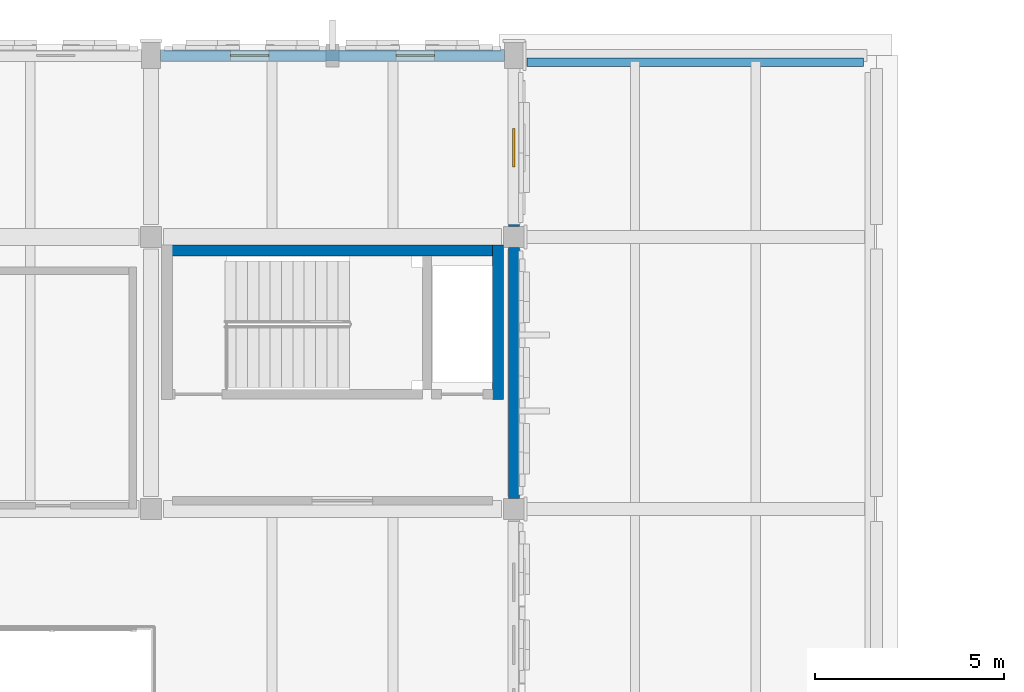
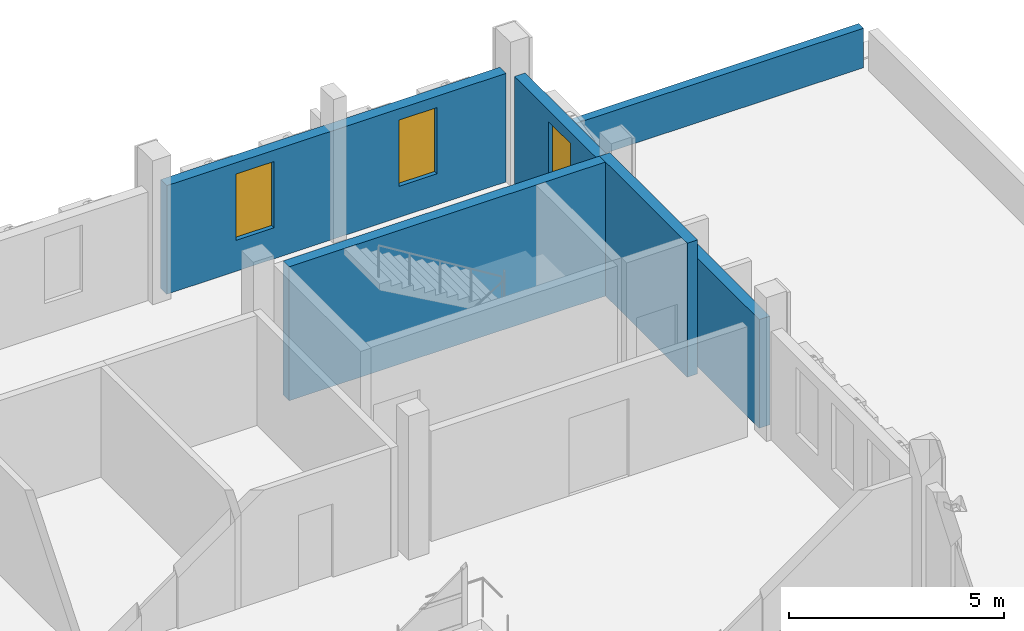
# One storey, part 39 of 50: 6 walls, 3 windows, 3 openings.
"""IFC4 building model written with IfcOpenShell, lengths in metres."""

from ifc_helpers import new_model, si_unit, direction, frame, frame_2d, origin, place, context, subcontext, project, spatial, rectangle, extrude, material, layer, layer_set, type_object, element, fill, save


model = new_model("IFC4")

# Units and contexts
model_context = context("Model", 3, precision=1e-05, world=origin(), true_north=direction((0.0, 1.0)))
body_context = subcontext(model_context, "Body", "Model", "MODEL_VIEW")
ifc_project = project(units=[si_unit("LENGTHUNIT", "METRE"), si_unit("AREAUNIT", "SQUARE_METRE"), si_unit("VOLUMEUNIT", "CUBIC_METRE"), si_unit("PLANEANGLEUNIT", "RADIAN"), si_unit("MASSUNIT", "GRAM", prefix="KILO")], contexts=[model_context])

# Site, building, storey
site_placement = place(None, origin())
site = spatial("IfcSite", under=ifc_project, at=site_placement, CompositionType="ELEMENT")
building_placement = place(site_placement, origin())
building = spatial("IfcBuilding", under=site, at=building_placement, Name="Asteropetra Specialist Clinic", CompositionType="ELEMENT")
storey_placement = place(building_placement, frame((0.0, 0.0, 16.659912109375)))
storey = spatial("IfcBuildingStorey", under=building, at=storey_placement, Name="L04", CompositionType="ELEMENT", Elevation=16.659912109375)

# Wall, openings, windows
ifc_material_1 = material(Name="Chevron ivory", Category="masonry")
ifc_layer_1 = layer(ifc_material_1, 0.2900390625)
ifc_layer_set_1 = layer_set([ifc_layer_1], Name="Chevron ivory")
wall_type_1 = type_object("IfcWallType", Name="EW-CHEV-TER-290", PredefinedType="SOLIDWALL", material=ifc_layer_set_1)
wall_1_placement = place(storey_placement, frame((38.14990234375, 110.39990234375, 0.0), z_axis=(0.0, 0.0, 1.0), x_axis=(-1.0, 0.0, 0.0)))
wall_1 = element("IfcWall", 1, at=wall_1_placement, inside=storey, type_object=wall_type_1, Name="Exterior Wall EW-0132", PredefinedType="SOLIDWALL", context=body_context, shape_type="SweptSolid", body=[
    extrude(rectangle(XDim=9.099853515625, YDim=0.2900390625, at=frame_2d((4.5498046875, 0.0))), origin(), (0.0, 0.0, 1.0), 3.080078125),
])
opening_1_placement = place(wall_1_placement, frame((1.85595703125, 0.0, 0.8798828125)))
opening_1 = element("IfcOpeningElement", 2, at=opening_1_placement, cuts=wall_1, Name="Opening W-0065", PredefinedType="OPENING", context=body_context, shape_type="SweptSolid", body=[
    extrude(rectangle(XDim=1.02001953125, YDim=1.8798828125, at=frame_2d((0.510009765625, 0.93994140625))), frame((0.0, 0.155029296875, 0.0), z_axis=(0.0, -1.0, 0.0), x_axis=(1.0, 0.0, 0.0)), (0.0, 0.0, 1.0), 0.31005859375),
])
opening_2_placement = place(wall_1_placement, frame((6.22412109375, 0.0, 0.8798828125)))
opening_2 = element("IfcOpeningElement", 3, at=opening_2_placement, cuts=wall_1, Name="Opening W-0066", PredefinedType="OPENING", context=body_context, shape_type="SweptSolid", body=[
    extrude(rectangle(XDim=1.02001953125, YDim=1.8798828125, at=frame_2d((0.510009765625, 0.93994140625))), frame((0.0, 0.155029296875, 0.0), z_axis=(0.0, -1.0, 0.0), x_axis=(1.0, 0.0, 0.0)), (0.0, 0.0, 1.0), 0.31005859375),
])
ifc_material_2 = material(Name="Thermally broken bronze aluminium and low-E glass", Category="aluminium")
window_type = type_object("IfcWindowType", Name="WIN-T31", PartitioningType="SINGLE_PANEL", PredefinedType="WINDOW", material=ifc_material_2)
window_1_placement = place(opening_1_placement, origin())
window_1 = element("IfcWindow", 4, at=window_1_placement, inside=storey, type_object=window_type, Name="Window W-0065", OverallHeight=1.8798828125, OverallWidth=1.02001953125, PartitioningType="SINGLE_PANEL", PredefinedType="WINDOW", context=body_context, shape_type="SweptSolid", body=[
    extrude(rectangle(XDim=1.02001953125, YDim=1.8798828125, at=frame_2d((0.510009765625, 0.93994140625))), frame((0.0, 0.030029296875, 0.0), z_axis=(0.0, -1.0, 0.0), x_axis=(1.0, 0.0, 0.0)), (0.0, 0.0, 1.0), 0.06005859375),
])
fill(opening_1, window_1)
window_2_placement = place(opening_2_placement, origin())
window_2 = element("IfcWindow", 5, at=window_2_placement, inside=storey, type_object=window_type, Name="Window W-0066", OverallHeight=1.8798828125, OverallWidth=1.02001953125, PartitioningType="SINGLE_PANEL", PredefinedType="WINDOW", context=body_context, shape_type="SweptSolid", body=[
    extrude(rectangle(XDim=1.02001953125, YDim=1.8798828125, at=frame_2d((0.510009765625, 0.93994140625))), frame((0.0, 0.030029296875, 0.0), z_axis=(0.0, -1.0, 0.0), x_axis=(1.0, 0.0, 0.0)), (0.0, 0.0, 1.0), 0.06005859375),
])
fill(opening_2, window_2)

# Wall
wall_2_placement = place(storey_placement, frame((38.39990234375, 98.675048828125, 0.0), z_axis=(0.0, 0.0, 1.0), x_axis=(0.0, 1.0, 0.0)))
element("IfcWall", 6, at=wall_2_placement, inside=storey, type_object=wall_type_1, Name="Exterior Wall EW-0140", PredefinedType="SOLIDWALL", context=body_context, shape_type="SweptSolid", body=[
    extrude(rectangle(XDim=6.64990234375, YDim=0.2900390625, at=frame_2d((3.324951171875, 0.0))), origin(), (0.0, 0.0, 1.0), 3.080078125),
])

# Wall, opening, window
wall_3_placement = place(storey_placement, frame((38.39990234375, 105.875, 0.0), z_axis=(0.0, 0.0, 1.0), x_axis=(0.0, 1.0, 0.0)))
wall_3 = element("IfcWall", 7, at=wall_3_placement, inside=storey, type_object=wall_type_1, Name="Exterior Wall EW-0142", PredefinedType="SOLIDWALL", context=body_context, shape_type="SweptSolid", body=[
    extrude(rectangle(XDim=4.175048828125, YDim=0.2900390625, at=frame_2d((2.08740234375, 0.0))), origin(), (0.0, 0.0, 1.0), 3.080078125),
])
opening_3_placement = place(wall_3_placement, frame((1.577392578125, 0.0, 0.8798828125)))
opening_3 = element("IfcOpeningElement", 8, at=opening_3_placement, cuts=wall_3, Name="Opening W-0086", PredefinedType="OPENING", context=body_context, shape_type="SweptSolid", body=[
    extrude(rectangle(XDim=1.02001953125, YDim=1.8798828125, at=frame_2d((0.510009765625, 0.93994140625))), frame((0.0, 0.155029296875, 0.0), z_axis=(0.0, -1.0, 0.0), x_axis=(1.0, 0.0, 0.0)), (0.0, 0.0, 1.0), 0.31005859375),
])
window_3_placement = place(opening_3_placement, origin())
window_3 = element("IfcWindow", 9, at=window_3_placement, inside=storey, type_object=window_type, Name="Window W-0086", OverallHeight=1.8798828125, OverallWidth=1.02001953125, PartitioningType="SINGLE_PANEL", PredefinedType="WINDOW", context=body_context, shape_type="SweptSolid", body=[
    extrude(rectangle(XDim=1.02001953125, YDim=1.8798828125, at=frame_2d((0.510009765625, 0.93994140625))), frame((0.0, 0.030029296875, 0.0), z_axis=(0.0, -1.0, 0.0), x_axis=(1.0, 0.0, 0.0)), (0.0, 0.0, 1.0), 0.06005859375),
])
fill(opening_3, window_3)

# Walls
ifc_material_3 = material(Name="Piraeus poros limestone", Category="masonry")
ifc_layer_2 = layer(ifc_material_3, 0.219970703125)
ifc_layer_set_2 = layer_set([ifc_layer_2], Name="Piraeus poros limestone")
wall_type_2 = type_object("IfcWallType", Name="EW-PARAPET-220", PredefinedType="PARAPET", material=ifc_layer_set_2)
wall_4_placement = place(storey_placement, frame((38.75, 110.219970703125, 0.0), z_axis=(0.0, 0.0, 1.0), x_axis=(1.0, 0.0, 0.0)))
element("IfcWall", 10, at=wall_4_placement, inside=storey, type_object=wall_type_2, Name="Roof Parapet WP-06", PredefinedType="PARAPET", context=body_context, shape_type="SweptSolid", body=[
    extrude(rectangle(XDim=8.89990234375, YDim=0.219970703125, at=frame_2d((4.449951171875, 0.0))), origin(), (0.0, 0.0, 1.0), 1.1201171875),
])
ifc_material_4 = material(Name="Concrete C35/45", Category="concrete")
ifc_layer_3 = layer(ifc_material_4, 0.280029296875)
ifc_layer_set_3 = layer_set([ifc_layer_3], Name="Concrete C35/45")
wall_type_3 = type_object("IfcWallType", Name="W-CORE-280", PredefinedType="SHEAR", material=ifc_layer_set_3)
wall_5_placement = place(storey_placement, frame((37.97998046875, 101.300048828125, 0.0), z_axis=(0.0, 0.0, 1.0), x_axis=(0.0, 1.0, 0.0)))
element("IfcWall", 11, at=wall_5_placement, inside=storey, type_object=wall_type_3, Name="Core Wall CW-C2-L04-E", PredefinedType="SHEAR", context=body_context, shape_type="SweptSolid", body=[
    extrude(rectangle(XDim=4.079833984375, YDim=0.280029296875, at=frame_2d((2.0400390625, 0.0))), origin(), (0.0, 0.0, 1.0), 3.800048828125),
])
wall_6_placement = place(storey_placement, frame((29.35498046875, 105.239990234375, 0.0), z_axis=(0.0, 0.0, 1.0), x_axis=(1.0, 0.0, 0.0)))
element("IfcWall", 12, at=wall_6_placement, inside=storey, type_object=wall_type_3, Name="Core Wall CW-C2-L04-BACK", PredefinedType="SHEAR", context=body_context, shape_type="SweptSolid", body=[
    extrude(rectangle(XDim=8.489990234375, YDim=0.280029296875, at=frame_2d((4.2451171875, 0.0))), origin(), (0.0, 0.0, 1.0), 3.800048828125),
])

save(model, "model.ifc")
